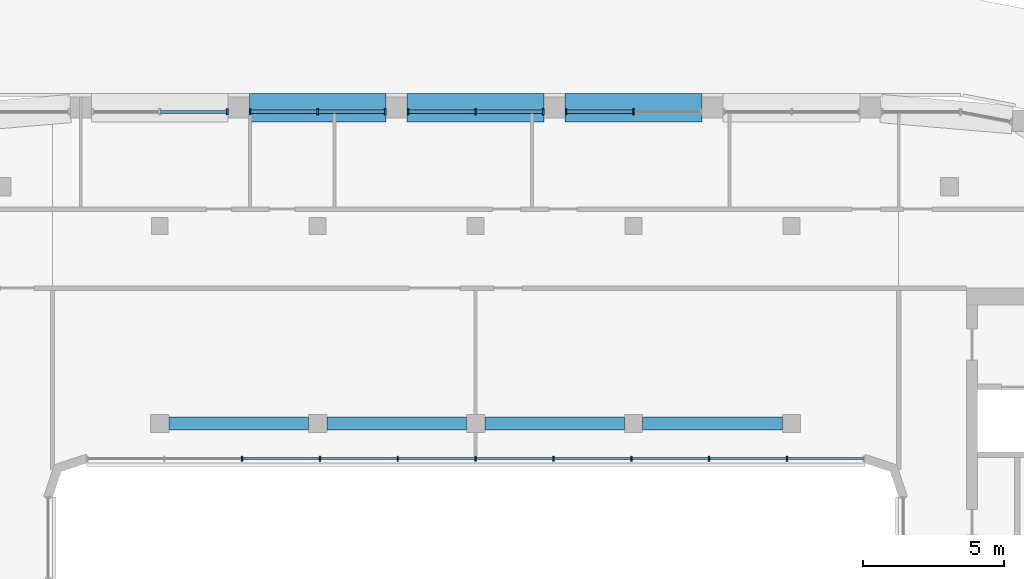
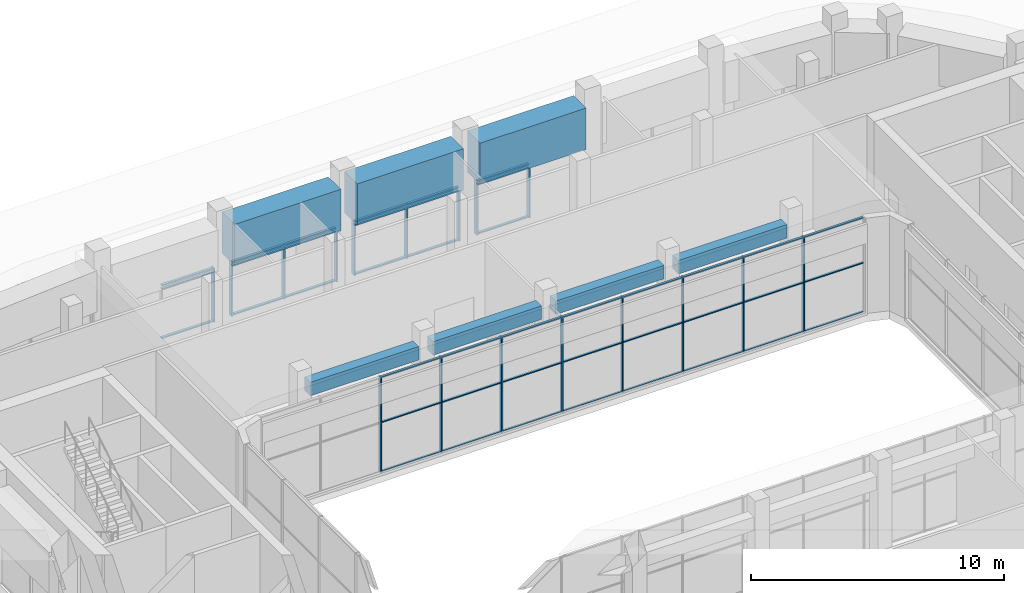
# One storey, part 8 of 23: 59 members, 7 beams, 5 elements without a shape of their own.
"""IFC4 building model written with IfcOpenShell, lengths in metres."""

from ifc_helpers import new_model, si_unit, direction, frame, origin, origin_2d, place, context, subcontext, project, spatial, rectangle, extrude, material, layer, layer_set, material_profile, profile_set, type_object, element, aggregate, save


model = new_model("IFC4")

# Units and contexts
model_context = context("Model", 3, precision=1e-05, world=origin(), true_north=direction((0.0, 1.0)))
body_context = subcontext(model_context, "Body", "Model", "MODEL_VIEW")
ifc_project = project(units=[si_unit("LENGTHUNIT", "METRE"), si_unit("AREAUNIT", "SQUARE_METRE"), si_unit("VOLUMEUNIT", "CUBIC_METRE"), si_unit("PLANEANGLEUNIT", "RADIAN"), si_unit("MASSUNIT", "GRAM", prefix="KILO")], contexts=[model_context])

# Site, building, storey
site_placement = place(None, origin())
site = spatial("IfcSite", under=ifc_project, at=site_placement, CompositionType="ELEMENT")
building_placement = place(site_placement, origin())
building = spatial("IfcBuilding", under=site, at=building_placement, Name="Kiln Ring Residences", CompositionType="ELEMENT")
storey_placement = place(building_placement, frame((0.0, 0.0, 294.5)))
storey = spatial("IfcBuildingStorey", under=building, at=storey_placement, Name="L76", CompositionType="ELEMENT", Elevation=294.5)

# Curtain wall, members
ifc_material_1 = material(Name="Aluminium and glass", Category="aluminium")
ifc_layer_1 = layer(ifc_material_1, 0.179931640625)
ifc_layer_set_1 = layer_set([ifc_layer_1], Name="CW3 CURTAIN WALL")
curtain_wall_type_1 = type_object("IfcCurtainWallType", Name="CW3 CURTAIN WALL", PredefinedType="NOTDEFINED", material=ifc_layer_set_1)
placement = place(storey_placement, origin())
curtain_wall_1 = element("IfcCurtainWall", 1, at=placement, inside=storey, type_object=curtain_wall_type_1, Name="Curtain wall CW3 L76", PredefinedType="NOTDEFINED")
ifc_material_2 = material(Name="Aluminium 6063-T6", Category="aluminium")
ifc_material_profile_1 = material_profile(ifc_material_2, rectangle(XDim=0.179931640625, YDim=0.050048828125, at=origin_2d()), Name="AL 180x50")
ifc_profile_set_1 = profile_set([ifc_material_profile_1], Name="Aluminium 6063-T6")
member_type_1 = type_object("IfcMemberType", Name="CW3 MULLION 180 x 50", PredefinedType="MULLION", material=ifc_profile_set_1)
member_1_placement = place(storey_placement, frame((-8.280029296875, 7.14990234375, 0.0), z_axis=(0.0, 0.0, 1.0), x_axis=(0.0, 1.0, 0.0)))
member_1 = element("IfcMember", 2, at=member_1_placement, type_object=member_type_1, Name="CW3 mullion 3", PredefinedType="MULLION", context=body_context, shape_type="SweptSolid", body=[
    extrude(rectangle(XDim=0.179931640625, YDim=0.050048828125, at=origin_2d()), origin(), (0.0, 0.0, 1.0), 4.60009765625),
])
member_2_placement = place(storey_placement, frame((-5.52001953125, 7.14990234375, 0.0), z_axis=(0.0, 0.0, 1.0), x_axis=(0.0, 1.0, 0.0)))
member_2 = element("IfcMember", 3, at=member_2_placement, type_object=member_type_1, Name="CW3 mullion 4", PredefinedType="MULLION", context=body_context, shape_type="SweptSolid", body=[
    extrude(rectangle(XDim=0.179931640625, YDim=0.050048828125, at=origin_2d()), origin(), (0.0, 0.0, 1.0), 4.60009765625),
])
member_3_placement = place(storey_placement, frame((-2.760009765625, 7.14990234375, 0.0), z_axis=(0.0, 0.0, 1.0), x_axis=(0.0, 1.0, 0.0)))
member_3 = element("IfcMember", 4, at=member_3_placement, type_object=member_type_1, Name="CW3 mullion 5", PredefinedType="MULLION", context=body_context, shape_type="SweptSolid", body=[
    extrude(rectangle(XDim=0.179931640625, YDim=0.050048828125, at=origin_2d()), origin(), (0.0, 0.0, 1.0), 4.60009765625),
])
member_4_placement = place(storey_placement, frame((0.0, 7.14990234375, 0.0), z_axis=(0.0, 0.0, 1.0), x_axis=(0.0, 1.0, 0.0)))
member_4 = element("IfcMember", 5, at=member_4_placement, type_object=member_type_1, Name="CW3 mullion 6", PredefinedType="MULLION", context=body_context, shape_type="SweptSolid", body=[
    extrude(rectangle(XDim=0.179931640625, YDim=0.050048828125, at=origin_2d()), origin(), (0.0, 0.0, 1.0), 4.60009765625),
])
member_5_placement = place(storey_placement, frame((2.760009765625, 7.14990234375, 0.0), z_axis=(0.0, 0.0, 1.0), x_axis=(0.0, 1.0, 0.0)))
member_5 = element("IfcMember", 6, at=member_5_placement, type_object=member_type_1, Name="CW3 mullion 7", PredefinedType="MULLION", context=body_context, shape_type="SweptSolid", body=[
    extrude(rectangle(XDim=0.179931640625, YDim=0.050048828125, at=origin_2d()), origin(), (0.0, 0.0, 1.0), 4.60009765625),
])
member_6_placement = place(storey_placement, frame((5.52001953125, 7.14990234375, 0.0), z_axis=(0.0, 0.0, 1.0), x_axis=(0.0, 1.0, 0.0)))
member_6 = element("IfcMember", 7, at=member_6_placement, type_object=member_type_1, Name="CW3 mullion 8", PredefinedType="MULLION", context=body_context, shape_type="SweptSolid", body=[
    extrude(rectangle(XDim=0.179931640625, YDim=0.050048828125, at=origin_2d()), origin(), (0.0, 0.0, 1.0), 4.60009765625),
])
member_7_placement = place(storey_placement, frame((8.280029296875, 7.14990234375, 0.0), z_axis=(0.0, 0.0, 1.0), x_axis=(0.0, 1.0, 0.0)))
member_7 = element("IfcMember", 8, at=member_7_placement, type_object=member_type_1, Name="CW3 mullion 9", PredefinedType="MULLION", context=body_context, shape_type="SweptSolid", body=[
    extrude(rectangle(XDim=0.179931640625, YDim=0.050048828125, at=origin_2d()), origin(), (0.0, 0.0, 1.0), 4.60009765625),
])
member_8_placement = place(storey_placement, frame((11.0400390625, 7.14990234375, 0.0), z_axis=(0.0, 0.0, 1.0), x_axis=(0.0, 1.0, 0.0)))
member_8 = element("IfcMember", 9, at=member_8_placement, type_object=member_type_1, Name="CW3 mullion 10", PredefinedType="MULLION", context=body_context, shape_type="SweptSolid", body=[
    extrude(rectangle(XDim=0.179931640625, YDim=0.050048828125, at=origin_2d()), origin(), (0.0, 0.0, 1.0), 4.60009765625),
])
ifc_material_3 = material(Name="Aluminium 6063-T6", Category="aluminium")
ifc_material_profile_2 = material_profile(ifc_material_3, rectangle(XDim=0.10009765625, YDim=0.050048828125, at=origin_2d()), Name="AL 100x50")
ifc_profile_set_2 = profile_set([ifc_material_profile_2], Name="Aluminium 6063-T6")
member_type_2 = type_object("IfcMemberType", Name="CW3 TRANSOM 100 x 50", PredefinedType="USERDEFINED", material=ifc_profile_set_2)
member_9_placement = place(storey_placement, frame((-8.2548828125, 7.14990234375, 0.02490234375), z_axis=(1.0, 0.0, 0.0), x_axis=(0.0, 1.0, 0.0)))
member_9 = element("IfcMember", 10, at=member_9_placement, type_object=member_type_2, Name="CW3 transom 3.1", ObjectType="TRANSOM", PredefinedType="USERDEFINED", context=body_context, shape_type="SweptSolid", body=[
    extrude(rectangle(XDim=0.10009765625, YDim=0.050048828125, at=origin_2d()), origin(), (0.0, 0.0, 1.0), 2.7099609375),
])
member_10_placement = place(storey_placement, frame((-8.2548828125, 7.14990234375, 2.39990234375), z_axis=(1.0, 0.0, 0.0), x_axis=(0.0, 1.0, 0.0)))
member_10 = element("IfcMember", 11, at=member_10_placement, type_object=member_type_2, Name="CW3 transom 3.2", ObjectType="TRANSOM", PredefinedType="USERDEFINED", context=body_context, shape_type="SweptSolid", body=[
    extrude(rectangle(XDim=0.10009765625, YDim=0.050048828125, at=origin_2d()), origin(), (0.0, 0.0, 1.0), 2.7099609375),
])
member_11_placement = place(storey_placement, frame((-8.2548828125, 7.14990234375, 4.574951171875), z_axis=(1.0, 0.0, 0.0), x_axis=(0.0, 1.0, 0.0)))
member_11 = element("IfcMember", 12, at=member_11_placement, type_object=member_type_2, Name="CW3 transom 3.3", ObjectType="TRANSOM", PredefinedType="USERDEFINED", context=body_context, shape_type="SweptSolid", body=[
    extrude(rectangle(XDim=0.10009765625, YDim=0.050048828125, at=origin_2d()), origin(), (0.0, 0.0, 1.0), 2.7099609375),
])
member_12_placement = place(storey_placement, frame((-5.4951171875, 7.14990234375, 0.02490234375), z_axis=(1.0, 0.0, 0.0), x_axis=(0.0, 1.0, 0.0)))
member_12 = element("IfcMember", 13, at=member_12_placement, type_object=member_type_2, Name="CW3 transom 4.1", ObjectType="TRANSOM", PredefinedType="USERDEFINED", context=body_context, shape_type="SweptSolid", body=[
    extrude(rectangle(XDim=0.10009765625, YDim=0.050048828125, at=origin_2d()), origin(), (0.0, 0.0, 1.0), 2.710205078125),
])
member_13_placement = place(storey_placement, frame((-5.4951171875, 7.14990234375, 2.39990234375), z_axis=(1.0, 0.0, 0.0), x_axis=(0.0, 1.0, 0.0)))
member_13 = element("IfcMember", 14, at=member_13_placement, type_object=member_type_2, Name="CW3 transom 4.2", ObjectType="TRANSOM", PredefinedType="USERDEFINED", context=body_context, shape_type="SweptSolid", body=[
    extrude(rectangle(XDim=0.10009765625, YDim=0.050048828125, at=origin_2d()), origin(), (0.0, 0.0, 1.0), 2.710205078125),
])
member_14_placement = place(storey_placement, frame((-5.4951171875, 7.14990234375, 4.574951171875), z_axis=(1.0, 0.0, 0.0), x_axis=(0.0, 1.0, 0.0)))
member_14 = element("IfcMember", 15, at=member_14_placement, type_object=member_type_2, Name="CW3 transom 4.3", ObjectType="TRANSOM", PredefinedType="USERDEFINED", context=body_context, shape_type="SweptSolid", body=[
    extrude(rectangle(XDim=0.10009765625, YDim=0.050048828125, at=origin_2d()), origin(), (0.0, 0.0, 1.0), 2.710205078125),
])
member_15_placement = place(storey_placement, frame((-2.735107421875, 7.14990234375, 0.02490234375), z_axis=(1.0, 0.0, 0.0), x_axis=(0.0, 1.0, 0.0)))
member_15 = element("IfcMember", 16, at=member_15_placement, type_object=member_type_2, Name="CW3 transom 5.1", ObjectType="TRANSOM", PredefinedType="USERDEFINED", context=body_context, shape_type="SweptSolid", body=[
    extrude(rectangle(XDim=0.10009765625, YDim=0.050048828125, at=origin_2d()), origin(), (0.0, 0.0, 1.0), 2.710205078125),
])
member_16_placement = place(storey_placement, frame((-2.735107421875, 7.14990234375, 2.39990234375), z_axis=(1.0, 0.0, 0.0), x_axis=(0.0, 1.0, 0.0)))
member_16 = element("IfcMember", 17, at=member_16_placement, type_object=member_type_2, Name="CW3 transom 5.2", ObjectType="TRANSOM", PredefinedType="USERDEFINED", context=body_context, shape_type="SweptSolid", body=[
    extrude(rectangle(XDim=0.10009765625, YDim=0.050048828125, at=origin_2d()), origin(), (0.0, 0.0, 1.0), 2.710205078125),
])
member_17_placement = place(storey_placement, frame((-2.735107421875, 7.14990234375, 4.574951171875), z_axis=(1.0, 0.0, 0.0), x_axis=(0.0, 1.0, 0.0)))
member_17 = element("IfcMember", 18, at=member_17_placement, type_object=member_type_2, Name="CW3 transom 5.3", ObjectType="TRANSOM", PredefinedType="USERDEFINED", context=body_context, shape_type="SweptSolid", body=[
    extrude(rectangle(XDim=0.10009765625, YDim=0.050048828125, at=origin_2d()), origin(), (0.0, 0.0, 1.0), 2.710205078125),
])
member_18_placement = place(storey_placement, frame((0.02490234375, 7.14990234375, 0.02490234375), z_axis=(1.0, 0.0, 0.0), x_axis=(0.0, 1.0, 0.0)))
member_18 = element("IfcMember", 19, at=member_18_placement, type_object=member_type_2, Name="CW3 transom 6.1", ObjectType="TRANSOM", PredefinedType="USERDEFINED", context=body_context, shape_type="SweptSolid", body=[
    extrude(rectangle(XDim=0.10009765625, YDim=0.050048828125, at=origin_2d()), origin(), (0.0, 0.0, 1.0), 2.710205078125),
])
member_19_placement = place(storey_placement, frame((0.02490234375, 7.14990234375, 2.39990234375), z_axis=(1.0, 0.0, 0.0), x_axis=(0.0, 1.0, 0.0)))
member_19 = element("IfcMember", 20, at=member_19_placement, type_object=member_type_2, Name="CW3 transom 6.2", ObjectType="TRANSOM", PredefinedType="USERDEFINED", context=body_context, shape_type="SweptSolid", body=[
    extrude(rectangle(XDim=0.10009765625, YDim=0.050048828125, at=origin_2d()), origin(), (0.0, 0.0, 1.0), 2.710205078125),
])
member_20_placement = place(storey_placement, frame((0.02490234375, 7.14990234375, 4.574951171875), z_axis=(1.0, 0.0, 0.0), x_axis=(0.0, 1.0, 0.0)))
member_20 = element("IfcMember", 21, at=member_20_placement, type_object=member_type_2, Name="CW3 transom 6.3", ObjectType="TRANSOM", PredefinedType="USERDEFINED", context=body_context, shape_type="SweptSolid", body=[
    extrude(rectangle(XDim=0.10009765625, YDim=0.050048828125, at=origin_2d()), origin(), (0.0, 0.0, 1.0), 2.710205078125),
])
member_21_placement = place(storey_placement, frame((2.784912109375, 7.14990234375, 0.02490234375), z_axis=(1.0, 0.0, 0.0), x_axis=(0.0, 1.0, 0.0)))
member_21 = element("IfcMember", 22, at=member_21_placement, type_object=member_type_2, Name="CW3 transom 7.1", ObjectType="TRANSOM", PredefinedType="USERDEFINED", context=body_context, shape_type="SweptSolid", body=[
    extrude(rectangle(XDim=0.10009765625, YDim=0.050048828125, at=origin_2d()), origin(), (0.0, 0.0, 1.0), 2.710205078125),
])
member_22_placement = place(storey_placement, frame((2.784912109375, 7.14990234375, 2.39990234375), z_axis=(1.0, 0.0, 0.0), x_axis=(0.0, 1.0, 0.0)))
member_22 = element("IfcMember", 23, at=member_22_placement, type_object=member_type_2, Name="CW3 transom 7.2", ObjectType="TRANSOM", PredefinedType="USERDEFINED", context=body_context, shape_type="SweptSolid", body=[
    extrude(rectangle(XDim=0.10009765625, YDim=0.050048828125, at=origin_2d()), origin(), (0.0, 0.0, 1.0), 2.710205078125),
])
member_23_placement = place(storey_placement, frame((2.784912109375, 7.14990234375, 4.574951171875), z_axis=(1.0, 0.0, 0.0), x_axis=(0.0, 1.0, 0.0)))
member_23 = element("IfcMember", 24, at=member_23_placement, type_object=member_type_2, Name="CW3 transom 7.3", ObjectType="TRANSOM", PredefinedType="USERDEFINED", context=body_context, shape_type="SweptSolid", body=[
    extrude(rectangle(XDim=0.10009765625, YDim=0.050048828125, at=origin_2d()), origin(), (0.0, 0.0, 1.0), 2.710205078125),
])
member_24_placement = place(storey_placement, frame((5.544921875, 7.14990234375, 0.02490234375), z_axis=(1.0, 0.0, 0.0), x_axis=(0.0, 1.0, 0.0)))
member_24 = element("IfcMember", 25, at=member_24_placement, type_object=member_type_2, Name="CW3 transom 8.1", ObjectType="TRANSOM", PredefinedType="USERDEFINED", context=body_context, shape_type="SweptSolid", body=[
    extrude(rectangle(XDim=0.10009765625, YDim=0.050048828125, at=origin_2d()), origin(), (0.0, 0.0, 1.0), 2.7099609375),
])
member_25_placement = place(storey_placement, frame((5.544921875, 7.14990234375, 2.39990234375), z_axis=(1.0, 0.0, 0.0), x_axis=(0.0, 1.0, 0.0)))
member_25 = element("IfcMember", 26, at=member_25_placement, type_object=member_type_2, Name="CW3 transom 8.2", ObjectType="TRANSOM", PredefinedType="USERDEFINED", context=body_context, shape_type="SweptSolid", body=[
    extrude(rectangle(XDim=0.10009765625, YDim=0.050048828125, at=origin_2d()), origin(), (0.0, 0.0, 1.0), 2.7099609375),
])
member_26_placement = place(storey_placement, frame((5.544921875, 7.14990234375, 4.574951171875), z_axis=(1.0, 0.0, 0.0), x_axis=(0.0, 1.0, 0.0)))
member_26 = element("IfcMember", 27, at=member_26_placement, type_object=member_type_2, Name="CW3 transom 8.3", ObjectType="TRANSOM", PredefinedType="USERDEFINED", context=body_context, shape_type="SweptSolid", body=[
    extrude(rectangle(XDim=0.10009765625, YDim=0.050048828125, at=origin_2d()), origin(), (0.0, 0.0, 1.0), 2.7099609375),
])
member_27_placement = place(storey_placement, frame((8.304931640625, 7.14990234375, 0.02490234375), z_axis=(1.0, 0.0, 0.0), x_axis=(0.0, 1.0, 0.0)))
member_27 = element("IfcMember", 28, at=member_27_placement, type_object=member_type_2, Name="CW3 transom 9.1", ObjectType="TRANSOM", PredefinedType="USERDEFINED", context=body_context, shape_type="SweptSolid", body=[
    extrude(rectangle(XDim=0.10009765625, YDim=0.050048828125, at=origin_2d()), origin(), (0.0, 0.0, 1.0), 2.7099609375),
])
member_28_placement = place(storey_placement, frame((8.304931640625, 7.14990234375, 2.39990234375), z_axis=(1.0, 0.0, 0.0), x_axis=(0.0, 1.0, 0.0)))
member_28 = element("IfcMember", 29, at=member_28_placement, type_object=member_type_2, Name="CW3 transom 9.2", ObjectType="TRANSOM", PredefinedType="USERDEFINED", context=body_context, shape_type="SweptSolid", body=[
    extrude(rectangle(XDim=0.10009765625, YDim=0.050048828125, at=origin_2d()), origin(), (0.0, 0.0, 1.0), 2.7099609375),
])
member_29_placement = place(storey_placement, frame((8.304931640625, 7.14990234375, 4.574951171875), z_axis=(1.0, 0.0, 0.0), x_axis=(0.0, 1.0, 0.0)))
member_29 = element("IfcMember", 30, at=member_29_placement, type_object=member_type_2, Name="CW3 transom 9.3", ObjectType="TRANSOM", PredefinedType="USERDEFINED", context=body_context, shape_type="SweptSolid", body=[
    extrude(rectangle(XDim=0.10009765625, YDim=0.050048828125, at=origin_2d()), origin(), (0.0, 0.0, 1.0), 2.7099609375),
])
member_30_placement = place(storey_placement, frame((11.06494140625, 7.14990234375, 0.02490234375), z_axis=(1.0, 0.0, 0.0), x_axis=(0.0, 1.0, 0.0)))
member_30 = element("IfcMember", 31, at=member_30_placement, type_object=member_type_2, Name="CW3 transom 10.1", ObjectType="TRANSOM", PredefinedType="USERDEFINED", context=body_context, shape_type="SweptSolid", body=[
    extrude(rectangle(XDim=0.10009765625, YDim=0.050048828125, at=origin_2d()), origin(), (0.0, 0.0, 1.0), 2.68505859375),
])
member_31_placement = place(storey_placement, frame((11.06494140625, 7.14990234375, 2.39990234375), z_axis=(1.0, 0.0, 0.0), x_axis=(0.0, 1.0, 0.0)))
member_31 = element("IfcMember", 32, at=member_31_placement, type_object=member_type_2, Name="CW3 transom 10.2", ObjectType="TRANSOM", PredefinedType="USERDEFINED", context=body_context, shape_type="SweptSolid", body=[
    extrude(rectangle(XDim=0.10009765625, YDim=0.050048828125, at=origin_2d()), origin(), (0.0, 0.0, 1.0), 2.68505859375),
])
member_32_placement = place(storey_placement, frame((11.06494140625, 7.14990234375, 4.574951171875), z_axis=(1.0, 0.0, 0.0), x_axis=(0.0, 1.0, 0.0)))
member_32 = element("IfcMember", 33, at=member_32_placement, type_object=member_type_2, Name="CW3 transom 10.3", ObjectType="TRANSOM", PredefinedType="USERDEFINED", context=body_context, shape_type="SweptSolid", body=[
    extrude(rectangle(XDim=0.10009765625, YDim=0.050048828125, at=origin_2d()), origin(), (0.0, 0.0, 1.0), 2.68505859375),
])
aggregate(curtain_wall_1, [member_1, member_2, member_3, member_4, member_5, member_6, member_7, member_8, member_9, member_10, member_11, member_12, member_13, member_14, member_15, member_16, member_17, member_18, member_19, member_20, member_21, member_22, member_23, member_24, member_25, member_26, member_27, member_28, member_29, member_30, member_31, member_32])

ifc_material_4 = material(Name="Aluminium and glass", Category="aluminium")
ifc_layer_2 = layer(ifc_material_4, 0.219970703125)
ifc_layer_set_2 = layer_set([ifc_layer_2], Name="CW5 CURTAIN WALL")
curtain_wall_type_2 = type_object("IfcCurtainWallType", Name="CW5 CURTAIN WALL", PredefinedType="NOTDEFINED", material=ifc_layer_set_2)
curtain_wall_2 = element("IfcCurtainWall", 34, at=placement, inside=storey, type_object=curtain_wall_type_2, Name="Curtain wall CW5 L76", PredefinedType="NOTDEFINED")
ifc_material_5 = material(Name="Aluminium 6063-T6", Category="aluminium")
ifc_material_profile_3 = material_profile(ifc_material_5, rectangle(XDim=0.219970703125, YDim=0.06005859375, at=origin_2d()), Name="AL 220x60")
ifc_profile_set_3 = profile_set([ifc_material_profile_3], Name="Aluminium 6063-T6")
member_type_3 = type_object("IfcMemberType", Name="CW5 MULLION 220 x 60", PredefinedType="MULLION", material=ifc_profile_set_3)
member_33_placement = place(storey_placement, frame((5.60009765625, 19.449951171875, 0.0), z_axis=(0.0, 0.0, 1.0), x_axis=(0.0, -1.0, 0.0)))
member_33 = element("IfcMember", 35, at=member_33_placement, type_object=member_type_3, Name="CW5 mullion 2", PredefinedType="MULLION", context=body_context, shape_type="SweptSolid", body=[
    extrude(rectangle(XDim=0.219970703125, YDim=0.06005859375, at=origin_2d()), origin(), (0.0, 0.0, 1.0), 2.60009765625),
])
member_34_placement = place(storey_placement, frame((3.205078125, 19.449951171875, 0.0), z_axis=(0.0, 0.0, 1.0), x_axis=(0.0, -1.0, 0.0)))
member_34 = element("IfcMember", 36, at=member_34_placement, type_object=member_type_3, Name="CW5 mullion 3", PredefinedType="MULLION", context=body_context, shape_type="SweptSolid", body=[
    extrude(rectangle(XDim=0.219970703125, YDim=0.06005859375, at=origin_2d()), origin(), (0.0, 0.0, 1.0), 2.60009765625),
])

curtain_wall_3 = element("IfcCurtainWall", 37, at=placement, inside=storey, type_object=curtain_wall_type_2, Name="Curtain wall CW5 L76", PredefinedType="NOTDEFINED")
member_35_placement = place(storey_placement, frame((2.39501953125, 19.449951171875, 0.0), z_axis=(0.0, 0.0, 1.0), x_axis=(0.0, -1.0, 0.0)))
member_35 = element("IfcMember", 38, at=member_35_placement, type_object=member_type_3, Name="CW5 mullion 1", PredefinedType="MULLION", context=body_context, shape_type="SweptSolid", body=[
    extrude(rectangle(XDim=0.219970703125, YDim=0.06005859375, at=origin_2d()), origin(), (0.0, 0.0, 1.0), 2.60009765625),
])
member_36_placement = place(storey_placement, frame((0.0, 19.449951171875, 0.0), z_axis=(0.0, 0.0, 1.0), x_axis=(0.0, -1.0, 0.0)))
member_36 = element("IfcMember", 39, at=member_36_placement, type_object=member_type_3, Name="CW5 mullion 2", PredefinedType="MULLION", context=body_context, shape_type="SweptSolid", body=[
    extrude(rectangle(XDim=0.219970703125, YDim=0.06005859375, at=origin_2d()), origin(), (0.0, 0.0, 1.0), 2.60009765625),
])
member_37_placement = place(storey_placement, frame((-2.39501953125, 19.449951171875, 0.0), z_axis=(0.0, 0.0, 1.0), x_axis=(0.0, -1.0, 0.0)))
member_37 = element("IfcMember", 40, at=member_37_placement, type_object=member_type_3, Name="CW5 mullion 3", PredefinedType="MULLION", context=body_context, shape_type="SweptSolid", body=[
    extrude(rectangle(XDim=0.219970703125, YDim=0.06005859375, at=origin_2d()), origin(), (0.0, 0.0, 1.0), 2.60009765625),
])

curtain_wall_4 = element("IfcCurtainWall", 41, at=placement, inside=storey, type_object=curtain_wall_type_2, Name="Curtain wall CW5 L76", PredefinedType="NOTDEFINED")
member_38_placement = place(storey_placement, frame((-3.205078125, 19.449951171875, 0.0), z_axis=(0.0, 0.0, 1.0), x_axis=(0.0, -1.0, 0.0)))
member_38 = element("IfcMember", 42, at=member_38_placement, type_object=member_type_3, Name="CW5 mullion 1", PredefinedType="MULLION", context=body_context, shape_type="SweptSolid", body=[
    extrude(rectangle(XDim=0.219970703125, YDim=0.06005859375, at=origin_2d()), origin(), (0.0, 0.0, 1.0), 2.60009765625),
])
member_39_placement = place(storey_placement, frame((-5.60009765625, 19.449951171875, 0.0), z_axis=(0.0, 0.0, 1.0), x_axis=(0.0, -1.0, 0.0)))
member_39 = element("IfcMember", 43, at=member_39_placement, type_object=member_type_3, Name="CW5 mullion 2", PredefinedType="MULLION", context=body_context, shape_type="SweptSolid", body=[
    extrude(rectangle(XDim=0.219970703125, YDim=0.06005859375, at=origin_2d()), origin(), (0.0, 0.0, 1.0), 2.60009765625),
])
member_40_placement = place(storey_placement, frame((-7.9951171875, 19.449951171875, 0.0), z_axis=(0.0, 0.0, 1.0), x_axis=(0.0, -1.0, 0.0)))
member_40 = element("IfcMember", 44, at=member_40_placement, type_object=member_type_3, Name="CW5 mullion 3", PredefinedType="MULLION", context=body_context, shape_type="SweptSolid", body=[
    extrude(rectangle(XDim=0.219970703125, YDim=0.06005859375, at=origin_2d()), origin(), (0.0, 0.0, 1.0), 2.60009765625),
])

# Curtain wall, member
curtain_wall_5 = element("IfcCurtainWall", 45, at=placement, inside=storey, type_object=curtain_wall_type_2, Name="Curtain wall CW5 L76", PredefinedType="NOTDEFINED")
member_41_placement = place(storey_placement, frame((-8.804931640625, 19.449951171875, 0.0), z_axis=(0.0, 0.0, 1.0), x_axis=(0.0, -1.0, 0.0)))
member_41 = element("IfcMember", 46, at=member_41_placement, type_object=member_type_3, Name="CW5 mullion 1", PredefinedType="MULLION", context=body_context, shape_type="SweptSolid", body=[
    extrude(rectangle(XDim=0.219970703125, YDim=0.06005859375, at=origin_2d()), origin(), (0.0, 0.0, 1.0), 2.60009765625),
])

# Member
ifc_material_6 = material(Name="Aluminium 6063-T6", Category="aluminium")
ifc_material_profile_4 = material_profile(ifc_material_6, rectangle(XDim=0.1201171875, YDim=0.06005859375, at=origin_2d()), Name="AL 120x60")
ifc_profile_set_4 = profile_set([ifc_material_profile_4], Name="Aluminium 6063-T6")
member_type_4 = type_object("IfcMemberType", Name="CW5 TRANSOM 120 x 60", PredefinedType="USERDEFINED", material=ifc_profile_set_4)
member_42_placement = place(storey_placement, frame((5.570068359375, 19.449951171875, 0.030029296875), z_axis=(-1.0, 0.0, 0.0), x_axis=(0.0, -1.0, 0.0)))
member_42 = element("IfcMember", 47, at=member_42_placement, type_object=member_type_4, Name="CW5 transom 2.1", ObjectType="TRANSOM", PredefinedType="USERDEFINED", context=body_context, shape_type="SweptSolid", body=[
    extrude(rectangle(XDim=0.1201171875, YDim=0.06005859375, at=origin_2d()), origin(), (0.0, 0.0, 1.0), 2.3349609375),
])

member_43_placement = place(storey_placement, frame((5.570068359375, 19.449951171875, 2.39990234375), z_axis=(-1.0, 0.0, 0.0), x_axis=(0.0, -1.0, 0.0)))
member_43 = element("IfcMember", 48, at=member_43_placement, type_object=member_type_4, Name="CW5 transom 2.2", ObjectType="TRANSOM", PredefinedType="USERDEFINED", context=body_context, shape_type="SweptSolid", body=[
    extrude(rectangle(XDim=0.1201171875, YDim=0.06005859375, at=origin_2d()), origin(), (0.0, 0.0, 1.0), 2.3349609375),
])

member_44_placement = place(storey_placement, frame((5.570068359375, 19.449951171875, 2.570068359375), z_axis=(-1.0, 0.0, 0.0), x_axis=(0.0, -1.0, 0.0)))
member_44 = element("IfcMember", 49, at=member_44_placement, type_object=member_type_4, Name="CW5 transom 2.3", ObjectType="TRANSOM", PredefinedType="USERDEFINED", context=body_context, shape_type="SweptSolid", body=[
    extrude(rectangle(XDim=0.1201171875, YDim=0.06005859375, at=origin_2d()), origin(), (0.0, 0.0, 1.0), 2.3349609375),
])

aggregate(curtain_wall_2, [member_33, member_34, member_42, member_43, member_44])

member_45_placement = place(storey_placement, frame((2.364990234375, 19.449951171875, 0.030029296875), z_axis=(-1.0, 0.0, 0.0), x_axis=(0.0, -1.0, 0.0)))
member_45 = element("IfcMember", 50, at=member_45_placement, type_object=member_type_4, Name="CW5 transom 1.1", ObjectType="TRANSOM", PredefinedType="USERDEFINED", context=body_context, shape_type="SweptSolid", body=[
    extrude(rectangle(XDim=0.1201171875, YDim=0.06005859375, at=origin_2d()), origin(), (0.0, 0.0, 1.0), 2.3349609375),
])

member_46_placement = place(storey_placement, frame((2.364990234375, 19.449951171875, 2.39990234375), z_axis=(-1.0, 0.0, 0.0), x_axis=(0.0, -1.0, 0.0)))
member_46 = element("IfcMember", 51, at=member_46_placement, type_object=member_type_4, Name="CW5 transom 1.2", ObjectType="TRANSOM", PredefinedType="USERDEFINED", context=body_context, shape_type="SweptSolid", body=[
    extrude(rectangle(XDim=0.1201171875, YDim=0.06005859375, at=origin_2d()), origin(), (0.0, 0.0, 1.0), 2.3349609375),
])

member_47_placement = place(storey_placement, frame((2.364990234375, 19.449951171875, 2.570068359375), z_axis=(-1.0, 0.0, 0.0), x_axis=(0.0, -1.0, 0.0)))
member_47 = element("IfcMember", 52, at=member_47_placement, type_object=member_type_4, Name="CW5 transom 1.3", ObjectType="TRANSOM", PredefinedType="USERDEFINED", context=body_context, shape_type="SweptSolid", body=[
    extrude(rectangle(XDim=0.1201171875, YDim=0.06005859375, at=origin_2d()), origin(), (0.0, 0.0, 1.0), 2.3349609375),
])

member_48_placement = place(storey_placement, frame((-0.030029296875, 19.449951171875, 0.030029296875), z_axis=(-1.0, 0.0, 0.0), x_axis=(0.0, -1.0, 0.0)))
member_48 = element("IfcMember", 53, at=member_48_placement, type_object=member_type_4, Name="CW5 transom 2.1", ObjectType="TRANSOM", PredefinedType="USERDEFINED", context=body_context, shape_type="SweptSolid", body=[
    extrude(rectangle(XDim=0.1201171875, YDim=0.06005859375, at=origin_2d()), origin(), (0.0, 0.0, 1.0), 2.3349609375),
])

member_49_placement = place(storey_placement, frame((-0.030029296875, 19.449951171875, 2.39990234375), z_axis=(-1.0, 0.0, 0.0), x_axis=(0.0, -1.0, 0.0)))
member_49 = element("IfcMember", 54, at=member_49_placement, type_object=member_type_4, Name="CW5 transom 2.2", ObjectType="TRANSOM", PredefinedType="USERDEFINED", context=body_context, shape_type="SweptSolid", body=[
    extrude(rectangle(XDim=0.1201171875, YDim=0.06005859375, at=origin_2d()), origin(), (0.0, 0.0, 1.0), 2.3349609375),
])

member_50_placement = place(storey_placement, frame((-0.030029296875, 19.449951171875, 2.570068359375), z_axis=(-1.0, 0.0, 0.0), x_axis=(0.0, -1.0, 0.0)))
member_50 = element("IfcMember", 55, at=member_50_placement, type_object=member_type_4, Name="CW5 transom 2.3", ObjectType="TRANSOM", PredefinedType="USERDEFINED", context=body_context, shape_type="SweptSolid", body=[
    extrude(rectangle(XDim=0.1201171875, YDim=0.06005859375, at=origin_2d()), origin(), (0.0, 0.0, 1.0), 2.3349609375),
])

aggregate(curtain_wall_3, [member_35, member_36, member_37, member_45, member_46, member_47, member_48, member_49, member_50])

member_51_placement = place(storey_placement, frame((-3.235107421875, 19.449951171875, 0.030029296875), z_axis=(-1.0, 0.0, 0.0), x_axis=(0.0, -1.0, 0.0)))
member_51 = element("IfcMember", 56, at=member_51_placement, type_object=member_type_4, Name="CW5 transom 1.1", ObjectType="TRANSOM", PredefinedType="USERDEFINED", context=body_context, shape_type="SweptSolid", body=[
    extrude(rectangle(XDim=0.1201171875, YDim=0.06005859375, at=origin_2d()), origin(), (0.0, 0.0, 1.0), 2.3349609375),
])

member_52_placement = place(storey_placement, frame((-3.235107421875, 19.449951171875, 2.39990234375), z_axis=(-1.0, 0.0, 0.0), x_axis=(0.0, -1.0, 0.0)))
member_52 = element("IfcMember", 57, at=member_52_placement, type_object=member_type_4, Name="CW5 transom 1.2", ObjectType="TRANSOM", PredefinedType="USERDEFINED", context=body_context, shape_type="SweptSolid", body=[
    extrude(rectangle(XDim=0.1201171875, YDim=0.06005859375, at=origin_2d()), origin(), (0.0, 0.0, 1.0), 2.3349609375),
])

member_53_placement = place(storey_placement, frame((-3.235107421875, 19.449951171875, 2.570068359375), z_axis=(-1.0, 0.0, 0.0), x_axis=(0.0, -1.0, 0.0)))
member_53 = element("IfcMember", 58, at=member_53_placement, type_object=member_type_4, Name="CW5 transom 1.3", ObjectType="TRANSOM", PredefinedType="USERDEFINED", context=body_context, shape_type="SweptSolid", body=[
    extrude(rectangle(XDim=0.1201171875, YDim=0.06005859375, at=origin_2d()), origin(), (0.0, 0.0, 1.0), 2.3349609375),
])

member_54_placement = place(storey_placement, frame((-5.6298828125, 19.449951171875, 0.030029296875), z_axis=(-1.0, 0.0, 0.0), x_axis=(0.0, -1.0, 0.0)))
member_54 = element("IfcMember", 59, at=member_54_placement, type_object=member_type_4, Name="CW5 transom 2.1", ObjectType="TRANSOM", PredefinedType="USERDEFINED", context=body_context, shape_type="SweptSolid", body=[
    extrude(rectangle(XDim=0.1201171875, YDim=0.06005859375, at=origin_2d()), origin(), (0.0, 0.0, 1.0), 2.335205078125),
])

member_55_placement = place(storey_placement, frame((-5.6298828125, 19.449951171875, 2.39990234375), z_axis=(-1.0, 0.0, 0.0), x_axis=(0.0, -1.0, 0.0)))
member_55 = element("IfcMember", 60, at=member_55_placement, type_object=member_type_4, Name="CW5 transom 2.2", ObjectType="TRANSOM", PredefinedType="USERDEFINED", context=body_context, shape_type="SweptSolid", body=[
    extrude(rectangle(XDim=0.1201171875, YDim=0.06005859375, at=origin_2d()), origin(), (0.0, 0.0, 1.0), 2.335205078125),
])

member_56_placement = place(storey_placement, frame((-5.6298828125, 19.449951171875, 2.570068359375), z_axis=(-1.0, 0.0, 0.0), x_axis=(0.0, -1.0, 0.0)))
member_56 = element("IfcMember", 61, at=member_56_placement, type_object=member_type_4, Name="CW5 transom 2.3", ObjectType="TRANSOM", PredefinedType="USERDEFINED", context=body_context, shape_type="SweptSolid", body=[
    extrude(rectangle(XDim=0.1201171875, YDim=0.06005859375, at=origin_2d()), origin(), (0.0, 0.0, 1.0), 2.335205078125),
])

aggregate(curtain_wall_4, [member_38, member_39, member_40, member_51, member_52, member_53, member_54, member_55, member_56])

member_57_placement = place(storey_placement, frame((-8.8349609375, 19.449951171875, 0.030029296875), z_axis=(-1.0, 0.0, 0.0), x_axis=(0.0, -1.0, 0.0)))
member_57 = element("IfcMember", 62, at=member_57_placement, type_object=member_type_4, Name="CW5 transom 1.1", ObjectType="TRANSOM", PredefinedType="USERDEFINED", context=body_context, shape_type="SweptSolid", body=[
    extrude(rectangle(XDim=0.1201171875, YDim=0.06005859375, at=origin_2d()), origin(), (0.0, 0.0, 1.0), 2.3349609375),
])

member_58_placement = place(storey_placement, frame((-8.8349609375, 19.449951171875, 2.39990234375), z_axis=(-1.0, 0.0, 0.0), x_axis=(0.0, -1.0, 0.0)))
member_58 = element("IfcMember", 63, at=member_58_placement, type_object=member_type_4, Name="CW5 transom 1.2", ObjectType="TRANSOM", PredefinedType="USERDEFINED", context=body_context, shape_type="SweptSolid", body=[
    extrude(rectangle(XDim=0.1201171875, YDim=0.06005859375, at=origin_2d()), origin(), (0.0, 0.0, 1.0), 2.3349609375),
])

member_59_placement = place(storey_placement, frame((-8.8349609375, 19.449951171875, 2.570068359375), z_axis=(-1.0, 0.0, 0.0), x_axis=(0.0, -1.0, 0.0)))
member_59 = element("IfcMember", 64, at=member_59_placement, type_object=member_type_4, Name="CW5 transom 1.3", ObjectType="TRANSOM", PredefinedType="USERDEFINED", context=body_context, shape_type="SweptSolid", body=[
    extrude(rectangle(XDim=0.1201171875, YDim=0.06005859375, at=origin_2d()), origin(), (0.0, 0.0, 1.0), 2.3349609375),
])

aggregate(curtain_wall_5, [member_41, member_57, member_58, member_59])

# Beams
ifc_material_7 = material(Name="Concrete C50/60", Category="concrete")
ifc_material_profile_5 = material_profile(ifc_material_7, rectangle(XDim=0.449951171875, YDim=0.64990234375, at=origin_2d()), Name="RC450x650")
ifc_profile_set_5 = profile_set([ifc_material_profile_5], Name="Concrete C50/60")
beam_type_1 = type_object("IfcBeamType", Name="Ring beam RC450x650 C50/60", PredefinedType="BEAM", material=ifc_profile_set_5)
for number, where, z_axis, x_axis, name in (
    (65, (-10.875, 8.39990234375, 4.27490234375), (1.0, 0.0, 0.0), (0.0, 1.0, 0.0), "Ring beam L76 5"),
    (66, (-5.27490234375, 8.39990234375, 4.27490234375), (1.0, 0.0, 0.0), (0.0, 1.0, 0.0), "Ring beam L76 6"),
    (67, (0.324951171875, 8.39990234375, 4.27490234375), (1.0, 0.0, 0.0), (0.0, 1.0, 0.0), "Ring beam L76 7"),
    (68, (5.925048828125, 8.39990234375, 4.27490234375), (1.0, 0.0, 0.0), (0.0, 1.0, 0.0), "Ring beam L76 8"),
):
    element("IfcBeam", number, at=place(storey_placement, frame(where, z_axis=z_axis, x_axis=x_axis)), inside=storey, type_object=beam_type_1, Name=name, PredefinedType="BEAM", context=body_context, shape_type="SweptSolid", body=[
        extrude(rectangle(XDim=0.449951171875, YDim=0.64990234375, at=origin_2d()), origin(), (0.0, 0.0, 1.0), 4.949951171875),
    ])
ifc_material_8 = material(Name="Concrete C70/85", Category="concrete")
ifc_material_profile_6 = material_profile(ifc_material_8, rectangle(XDim=1.0, YDim=2.0, at=origin_2d()), Name="RC1000x2000")
ifc_profile_set_6 = profile_set([ifc_material_profile_6], Name="Concrete C70/85")
beam_type_2 = type_object("IfcBeamType", Name="Transfer girder RC1000x2000 C70/85", PredefinedType="BEAM", material=ifc_profile_set_6)
beam_1_placement = place(storey_placement, frame((8.02490234375, 19.60009765625, 3.60009765625), z_axis=(-1.0, 0.0, 0.0), x_axis=(0.0, -1.0, 0.0)))
element("IfcBeam", 69, at=beam_1_placement, inside=storey, type_object=beam_type_2, Name="Transfer girder L76 19", PredefinedType="BEAM", context=body_context, shape_type="SweptSolid", body=[
    extrude(rectangle(XDim=1.0, YDim=2.0, at=origin_2d()), origin(), (0.0, 0.0, 1.0), 4.849853515625),
])
beam_2_placement = place(storey_placement, frame((2.425048828125, 19.60009765625, 3.60009765625), z_axis=(-1.0, 0.0, 0.0), x_axis=(0.0, -1.0, 0.0)))
element("IfcBeam", 70, at=beam_2_placement, inside=storey, type_object=beam_type_2, Name="Transfer girder L76 20", PredefinedType="BEAM", context=body_context, shape_type="SweptSolid", body=[
    extrude(rectangle(XDim=1.0, YDim=2.0, at=origin_2d()), origin(), (0.0, 0.0, 1.0), 4.85009765625),
])
beam_3_placement = place(storey_placement, frame((-3.175048828125, 19.60009765625, 3.60009765625), z_axis=(-1.0, 0.0, 0.0), x_axis=(0.0, -1.0, 0.0)))
element("IfcBeam", 71, at=beam_3_placement, inside=storey, type_object=beam_type_2, Name="Transfer girder L76 21", PredefinedType="BEAM", context=body_context, shape_type="SweptSolid", body=[
    extrude(rectangle(XDim=1.0, YDim=2.0, at=origin_2d()), origin(), (0.0, 0.0, 1.0), 4.849853515625),
])

save(model, "model.ifc")
